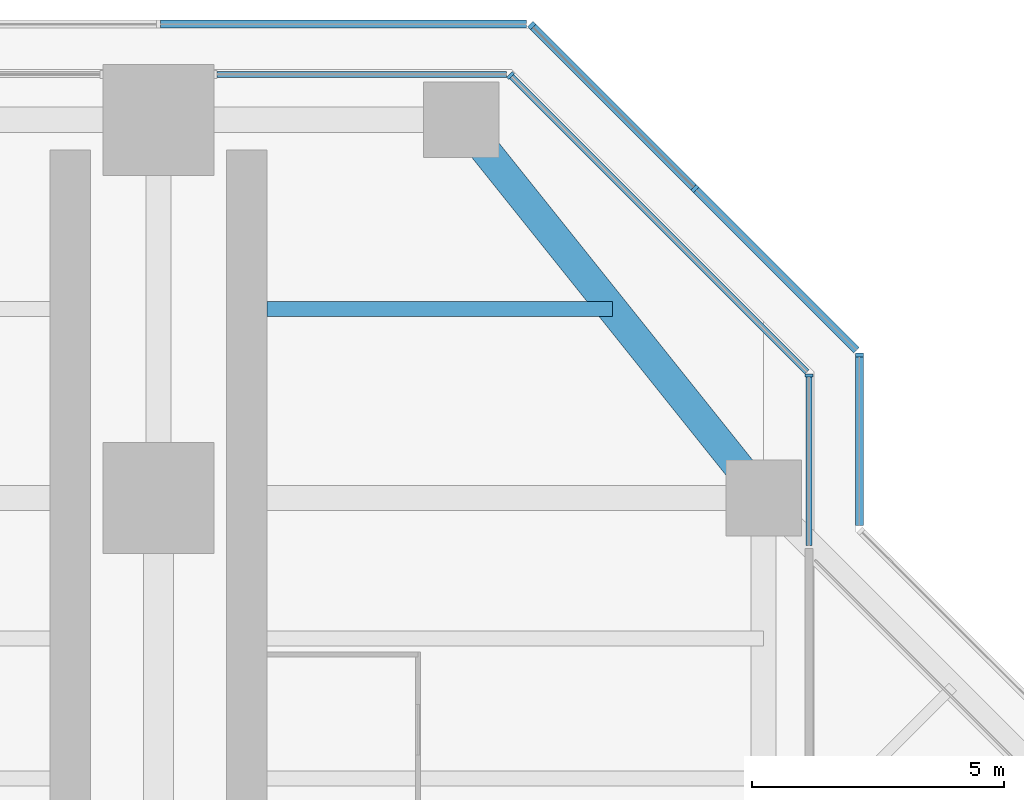
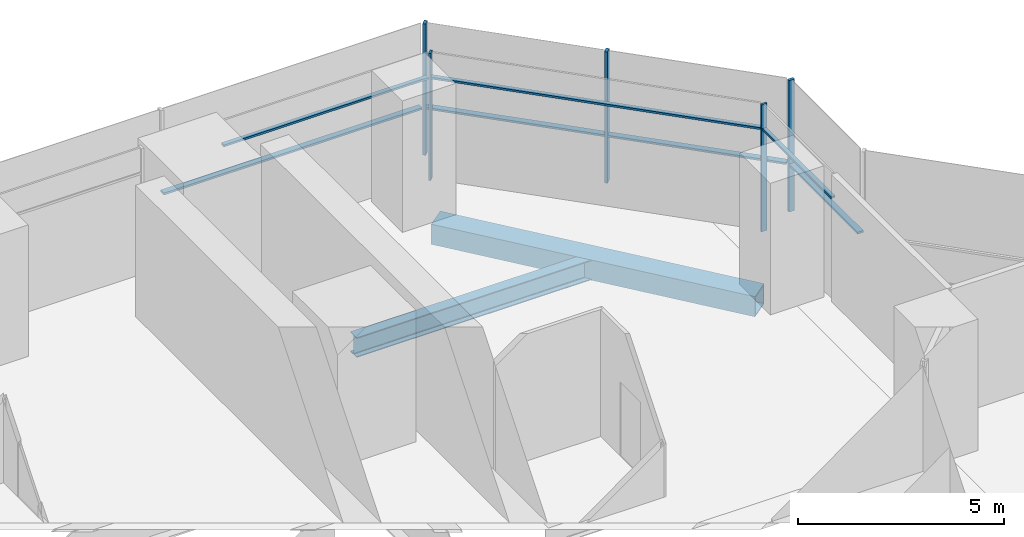
# One storey, part 9 of 17: 12 members, 2 beams, 6 elements without a shape of their own.
"""IFC4 building model written with IfcOpenShell, lengths in metres."""

import ifcopenshell
import ifcopenshell.guid

model = None  # the IFC model being written
_history = None  # IfcOwnerHistory: only IFC2X3 demands one
_inside = {}  # id of a spatial element -> (the spatial element, [elements in it])
_under = {}  # id of a project, library or spatial element -> (it, [spatial elements below it])
_declared = {}  # id of a project -> (the project, [libraries it declares])
_typed = {}  # id of a type object -> (the type object, [elements of that type])
_made_of = {}  # id of a material, layer set ... -> (it, [elements and type objects made of it])


def new_model(schema):
    """Start an empty IFC model of exactly this schema.

    Asked for "IFC4X3", IfcOpenShell would pick the latest addendum, in which some entities
    have other attributes; the version numbers below select the first issue.
    IFC2X3 requires an IfcOwnerHistory on every rooted entity: one is made here for all.
    """
    global model, _history
    if schema == "IFC4X3":
        model = ifcopenshell.file(schema_version=(4, 3, 0, 0))
    else:
        model = ifcopenshell.file(schema=schema)
    _inside.clear()
    _under.clear()
    _declared.clear()
    _typed.clear()
    _made_of.clear()
    _history = None
    if model.schema == "IFC2X3":
        org = make("IfcOrganization", Name="unknown")
        user = make(
            "IfcPersonAndOrganization",
            ThePerson=make("IfcPerson", FamilyName="unknown"),
            TheOrganization=org,
        )
        app = make(
            "IfcApplication",
            ApplicationDeveloper=org,
            Version="unknown",
            ApplicationFullName="unknown",
            ApplicationIdentifier="unknown",
        )
        _history = make(
            "IfcOwnerHistory",
            OwningUser=user,
            OwningApplication=app,
            ChangeAction="ADDED",
            CreationDate=0,
        )
    return model


def make(cls, **values):
    """One entity of the class cls with the attributes given. An attribute that is None is left unset."""
    return model.create_entity(
        cls, **{name: value for name, value in values.items() if value is not None}
    )


def rooted(cls, **values):
    """An entity with a GlobalId (a new one), such as an element, a storey or a relation."""
    return make(cls, GlobalId=ifcopenshell.guid.new(), OwnerHistory=_history, **values)


def si_unit(unit_type, name, prefix=None):
    """IfcSIUnit, for example si_unit("LENGTHUNIT", "METRE", prefix="MILLI")."""
    return make("IfcSIUnit", UnitType=unit_type, Prefix=prefix, Name=name)


def assignment(units):
    """IfcUnitAssignment: the units of a project."""
    return None if units is None else make("IfcUnitAssignment", Units=units)


def point(xyz):
    """IfcCartesianPoint."""
    return None if xyz is None else make("IfcCartesianPoint", Coordinates=xyz)


def direction(xyz):
    """IfcDirection."""
    return None if xyz is None else make("IfcDirection", DirectionRatios=xyz)


def frame(location, z_axis=None, x_axis=None):
    """IfcAxis2Placement3D, a coordinate frame: its origin and axes. An axis left out is left unset."""
    return make(
        "IfcAxis2Placement3D",
        Location=point(location),
        Axis=direction(z_axis),
        RefDirection=direction(x_axis),
    )


def frame_2d(location, x_axis=None):
    """IfcAxis2Placement2D, a coordinate frame in the plane: its origin and x axis."""
    return make(
        "IfcAxis2Placement2D", Location=point(location), RefDirection=direction(x_axis)
    )


def origin():
    """The frame at (0, 0, 0) with its axes left unset."""
    return frame((0.0, 0.0, 0.0))


def origin_2d():
    """The frame at (0, 0) in the plane with its x axis left unset."""
    return frame_2d((0.0, 0.0))


def place(relative_to, where):
    """IfcLocalPlacement: puts the frame where relative to a parent placement (None: the world)."""
    return make(
        "IfcLocalPlacement", PlacementRelTo=relative_to, RelativePlacement=where
    )


def context(
    kind, dimensions, precision=None, world=None, true_north=None, identifier=None
):
    """IfcGeometricRepresentationContext, for example the 3D "Model" context."""
    return make(
        "IfcGeometricRepresentationContext",
        ContextIdentifier=identifier,
        ContextType=kind,
        CoordinateSpaceDimension=dimensions,
        Precision=precision,
        WorldCoordinateSystem=world,
        TrueNorth=true_north,
    )


def subcontext(parent, identifier, kind, view, scale=None):
    """IfcGeometricRepresentationSubContext, for example "Body" below "Model"."""
    return make(
        "IfcGeometricRepresentationSubContext",
        ContextIdentifier=identifier,
        ContextType=kind,
        ParentContext=parent,
        TargetScale=scale,
        TargetView=view,
    )


def project(units=None, contexts=None):
    """IfcProject with its units and contexts."""
    return rooted(
        "IfcProject",
        Name="project",
        RepresentationContexts=contexts,
        UnitsInContext=assignment(units),
    )


def spatial(cls, under=None, at=None, **own):
    """A site, building, storey or space (cls), placed at a placement, below another one or the project."""
    s = rooted(cls, ObjectPlacement=at, **own)
    if under is not None:
        _under.setdefault(under.id(), (under, []))[1].append(s)
    return s


def profile(cls, at=None, kind="AREA", **sizes):
    """A parametric profile (cls). Its sizes go by their IFC names, for example OverallWidth=200.0."""
    return make(cls, ProfileType=kind, Position=at, **sizes)


def rectangle(**sizes):
    """IfcRectangleProfileDef."""
    return profile("IfcRectangleProfileDef", **sizes)


def hollow_rectangle(**sizes):
    """IfcRectangleHollowProfileDef."""
    return profile("IfcRectangleHollowProfileDef", **sizes)


def i_section(**sizes):
    """IfcIShapeProfileDef."""
    return profile("IfcIShapeProfileDef", **sizes)


def extrude(swept, where, along, depth):
    """IfcExtrudedAreaSolid: the profile swept, set in the frame where, extruded along a direction by depth."""
    return make(
        "IfcExtrudedAreaSolid",
        SweptArea=swept,
        Position=where,
        ExtrudedDirection=direction(along),
        Depth=depth,
    )


def shape(context_of_items, identifier, shape_type, items):
    """IfcShapeRepresentation: the items that make up one representation, for example the "Body"."""
    return make(
        "IfcShapeRepresentation",
        ContextOfItems=context_of_items,
        RepresentationIdentifier=identifier,
        RepresentationType=shape_type,
        Items=items,
    )


def material(Name=None, Category=None):
    """IfcMaterial."""
    return make("IfcMaterial", Name=Name, Category=Category)


def material_profile(
    of_material, cross_section, Name=None, Category=None, Priority=None
):
    """IfcMaterialProfile: a cross section and its material."""
    return make(
        "IfcMaterialProfile",
        Name=Name,
        Material=of_material,
        Profile=cross_section,
        Priority=Priority,
        Category=Category,
    )


def profile_set(profiles, Name=None, composite=None):
    """IfcMaterialProfileSet."""
    return make(
        "IfcMaterialProfileSet",
        Name=Name,
        MaterialProfiles=profiles,
        CompositeProfile=composite,
    )


def made_of(thing, what):
    """Note that an element or type object is made of a material, layer set ...; save() writes the relation."""
    if what is not None:
        _made_of.setdefault(what.id(), (what, []))[1].append(thing)
    return thing


def type_object(cls, material=None, **own):
    """A type object (cls), such as IfcWallType, which elements share."""
    return made_of(rooted(cls, **own), material)


def element(
    cls,
    number,
    at=None,
    inside=None,
    cuts=None,
    type_object=None,
    material=None,
    context=None,
    identifier="Body",
    shape_type=None,
    held_by="IfcProductDefinitionShape",
    body=None,
    shapes=None,
    **own,
):
    """One element of the class cls, such as IfcWall. Its Tag is "e" and its number.

    at: its placement. inside: the storey or other place that contains it. cuts: it is an
    opening in that element (IfcRelVoidsElement). A single representation is given by context,
    identifier, shape_type and body (its items); several are given by shapes. held_by: the class
    of the entity that holds the representations. save() writes the other relations.
    """
    e = rooted(cls, Tag="e%d" % number, ObjectPlacement=at, **own)
    if body is not None:
        shapes = [shape(context, identifier, shape_type, body)]
    if shapes is not None:
        e.Representation = make(held_by, Representations=shapes)
    if inside is not None:
        _inside.setdefault(inside.id(), (inside, []))[1].append(e)
    if cuts is not None:
        rooted(
            "IfcRelVoidsElement", RelatingBuildingElement=cuts, RelatedOpeningElement=e
        )
    if type_object is not None:
        _typed.setdefault(type_object.id(), (type_object, []))[1].append(e)
    return made_of(e, material)


def aggregate(whole, parts):
    """IfcRelAggregates: a whole, such as a stair, and the parts it consists of."""
    return rooted("IfcRelAggregates", RelatingObject=whole, RelatedObjects=parts)


def save(model, path):
    """Write the relations noted so far, then the file.

    IfcRelAggregates (storeys below a building ...), IfcRelContainedInSpatialStructure (elements
    in a storey), IfcRelDefinesByType, IfcRelAssociatesMaterial and IfcRelDeclares: one each for
    every whole, place, type object, material and project.
    """
    for whole, parts in _under.values():
        aggregate(whole, parts)
    for where, things in _inside.values():
        rooted(
            "IfcRelContainedInSpatialStructure",
            RelatedElements=things,
            RelatingStructure=where,
        )
    for kind, things in _typed.values():
        rooted("IfcRelDefinesByType", RelatedObjects=things, RelatingType=kind)
    for what, things in _made_of.values():
        rooted("IfcRelAssociatesMaterial", RelatedObjects=things, RelatingMaterial=what)
    for by, libraries in _declared.values():
        rooted("IfcRelDeclares", RelatingContext=by, RelatedDefinitions=libraries)
    model.write(path)


model = new_model("IFC4")

# Units and contexts
model_context = context("Model", 3, precision=1e-05, world=origin(), true_north=direction((0.0, 1.0)))
body_context = subcontext(model_context, "Body", "Model", "MODEL_VIEW")
ifc_project = project(units=[si_unit("LENGTHUNIT", "METRE"), si_unit("AREAUNIT", "SQUARE_METRE"), si_unit("VOLUMEUNIT", "CUBIC_METRE"), si_unit("PLANEANGLEUNIT", "RADIAN"), si_unit("MASSUNIT", "GRAM", prefix="KILO")], contexts=[model_context])

# Site, building, storey
site_placement = place(None, origin())
site = spatial("IfcSite", under=ifc_project, at=site_placement, CompositionType="ELEMENT")
building_placement = place(site_placement, origin())
building = spatial("IfcBuilding", under=site, at=building_placement, Name="Mizan Broadcast Tower", CompositionType="ELEMENT")
storey_placement = place(building_placement, frame((0.0, 0.0, 212.699951171875)))
storey = spatial("IfcBuildingStorey", under=building, at=storey_placement, Name="L49", CompositionType="ELEMENT", Elevation=212.699951171875)

# Beam
ifc_material_1 = material(Name="Steel S355", Category="steel")
ifc_material_profile_1 = material_profile(ifc_material_1, hollow_rectangle(XDim=0.60009765625, YDim=0.60009765625, WallThickness=0.030029296875, at=origin_2d()), Name="BOX 600x600x30")
ifc_profile_set_1 = profile_set([ifc_material_profile_1], Name="Steel S355")
beam_type_1 = type_object("IfcBeamType", Name="EDGE BEAM BOX 600x600x30", PredefinedType="SPANDREL", material=ifc_profile_set_1)
beam_1_placement = place(storey_placement, frame((11.639892578125, 19.949951171875, -0.429931640625), z_axis=(-0.624673911726, 0.780885717636, 0.0), x_axis=(-0.780885717636, -0.624673911726, 0.0)))
element("IfcBeam", 1, at=beam_1_placement, inside=storey, type_object=beam_type_1, Name="Edge beam BOX 600x600x30 L49 north arm", PredefinedType="SPANDREL", context=body_context, shape_type="SweptSolid", body=[
    extrude(hollow_rectangle(XDim=0.60009765625, YDim=0.60009765625, WallThickness=0.030029296875, at=origin_2d()), origin(), (0.0, 0.0, 1.0), 8.4521484375),
])

# Curtain wall, member
ifc_material_2 = material(Name="Aluminium framed glazing", Category="aluminium")
curtain_wall_type_1 = type_object("IfcCurtainWallType", Name="INNER SKIN HIGH ZONE", PredefinedType="USERDEFINED", material=ifc_material_2)
curtain_wall_1_placement = place(storey_placement, origin())
curtain_wall_1 = element("IfcCurtainWall", 2, at=curtain_wall_1_placement, inside=storey, type_object=curtain_wall_type_1, Name="Inner skin high zone L49 N side", ObjectType="INNER SKIN HIGH ZONE", PredefinedType="USERDEFINED")
ifc_material_3 = material(Name="Aluminium, pale anodised", Category="aluminium")
ifc_material_profile_2 = material_profile(ifc_material_3, rectangle(XDim=0.159912109375, YDim=0.06005859375, at=origin_2d()), Name="MULLION 160x60")
ifc_profile_set_2 = profile_set([ifc_material_profile_2], Name="Aluminium, pale anodised")
member_type_1 = type_object("IfcMemberType", Name="INNER SKIN MULLION 60x160", PredefinedType="MULLION", material=ifc_profile_set_2)
member_1_placement = place(storey_placement, frame((12.89990234375, 21.928466796875, 0.0), z_axis=(0.0, 0.0, 1.0), x_axis=(-1.0, 0.0, 0.0)))
member_1 = element("IfcMember", 3, at=member_1_placement, type_object=member_type_1, Name="Inner skin high zone L49 N side mullion 2", PredefinedType="MULLION", context=body_context, shape_type="SweptSolid", body=[
    extrude(rectangle(XDim=0.159912109375, YDim=0.06005859375, at=origin_2d()), origin(), (0.0, 0.0, 1.0), 3.77001953125),
])

curtain_wall_2_placement = place(storey_placement, origin())
curtain_wall_2 = element("IfcCurtainWall", 4, at=curtain_wall_2_placement, inside=storey, type_object=curtain_wall_type_1, Name="Inner skin high zone L49 N chamfer", ObjectType="INNER SKIN HIGH ZONE", PredefinedType="USERDEFINED")
member_2_placement = place(storey_placement, frame((6.979736328125, 27.87890625, 0.0), z_axis=(0.0, 0.0, 1.0), x_axis=(-0.707106781187, -0.707106781187, 0.0)))
member_2 = element("IfcMember", 5, at=member_2_placement, type_object=member_type_1, Name="Inner skin high zone L49 N chamfer mullion 2", PredefinedType="MULLION", context=body_context, shape_type="SweptSolid", body=[
    extrude(rectangle(XDim=0.159912109375, YDim=0.06005859375, at=origin_2d()), origin(), (0.0, 0.0, 1.0), 3.77001953125),
])

# Member
ifc_material_4 = material(Name="Aluminium, pale anodised", Category="aluminium")
ifc_material_profile_3 = material_profile(ifc_material_4, rectangle(XDim=0.1201171875, YDim=0.06005859375, at=origin_2d()), Name="TRANSOM 120x60")
ifc_profile_set_3 = profile_set([ifc_material_profile_3], Name="Aluminium, pale anodised")
member_type_2 = type_object("IfcMemberType", Name="INNER SKIN TRANSOM 60x120", PredefinedType="USERDEFINED", material=ifc_profile_set_3)
member_3_placement = place(storey_placement, frame((12.89990234375, 18.56005859375, 3.030029296875), z_axis=(0.0, 1.0, 0.0), x_axis=(-1.0, 0.0, 0.0)))
member_3 = element("IfcMember", 6, at=member_3_placement, type_object=member_type_2, Name="Inner skin high zone L49 N side transom 1.1", ObjectType="TRANSOM", PredefinedType="USERDEFINED", context=body_context, shape_type="SweptSolid", body=[
    extrude(rectangle(XDim=0.1201171875, YDim=0.06005859375, at=origin_2d()), origin(), (0.0, 0.0, 1.0), 3.338623046875),
])

aggregate(curtain_wall_1, [member_1, member_3])

member_4_placement = place(storey_placement, frame((12.857666015625, 22.0009765625, 3.030029296875), z_axis=(-0.707106781187, 0.707106781187, 0.0), x_axis=(-0.707106781187, -0.707106781187, 0.0)))
member_4 = element("IfcMember", 7, at=member_4_placement, type_object=member_type_2, Name="Inner skin high zone L49 N chamfer transom 1.1", ObjectType="TRANSOM", PredefinedType="USERDEFINED", context=body_context, shape_type="SweptSolid", body=[
    extrude(rectangle(XDim=0.1201171875, YDim=0.06005859375, at=origin_2d()), origin(), (0.0, 0.0, 1.0), 8.28271484375),
])

aggregate(curtain_wall_2, [member_2, member_4])

# Curtain wall, member
curtain_wall_3_placement = place(storey_placement, origin())
curtain_wall_3 = element("IfcCurtainWall", 8, at=curtain_wall_3_placement, inside=storey, type_object=curtain_wall_type_1, Name="Inner skin high zone L49 N end", ObjectType="INNER SKIN HIGH ZONE", PredefinedType="USERDEFINED")
member_5_placement = place(storey_placement, frame((6.898681640625, 27.89990234375, 3.030029296875), z_axis=(-1.0, 0.0, 0.0), x_axis=(0.0, -1.0, 0.0)))
member_5 = element("IfcMember", 9, at=member_5_placement, type_object=member_type_2, Name="Inner skin high zone L49 N end transom 1.1", ObjectType="TRANSOM", PredefinedType="USERDEFINED", context=body_context, shape_type="SweptSolid", body=[
    extrude(rectangle(XDim=0.1201171875, YDim=0.06005859375, at=origin_2d()), origin(), (0.0, 0.0, 1.0), 5.73876953125),
])
aggregate(curtain_wall_3, [member_5])

ifc_material_5 = material(Name="Aluminium framed glazing", Category="aluminium")
curtain_wall_type_2 = type_object("IfcCurtainWallType", Name="OUTER SKIN", PredefinedType="USERDEFINED", material=ifc_material_5)
curtain_wall_4_placement = place(storey_placement, origin())
curtain_wall_4 = element("IfcCurtainWall", 10, at=curtain_wall_4_placement, inside=storey, type_object=curtain_wall_type_2, Name="Outer skin L49 N side", ObjectType="OUTER SKIN", PredefinedType="USERDEFINED")
ifc_material_6 = material(Name="Aluminium, pale anodised", Category="aluminium")
ifc_material_profile_4 = material_profile(ifc_material_6, rectangle(XDim=0.159912109375, YDim=0.080078125, at=origin_2d()), Name="MULLION 160x80")
ifc_profile_set_4 = profile_set([ifc_material_profile_4], Name="Aluminium, pale anodised")
member_type_3 = type_object("IfcMemberType", Name="OUTER SKIN MULLION 80x160", PredefinedType="MULLION", material=ifc_profile_set_4)
member_6_placement = place(storey_placement, frame((13.89990234375, 22.332763671875, 0.0), z_axis=(0.0, 0.0, 1.0), x_axis=(-1.0, 0.0, 0.0)))
member_6 = element("IfcMember", 11, at=member_6_placement, type_object=member_type_3, Name="Outer skin L49 N side mullion 2", PredefinedType="MULLION", context=body_context, shape_type="SweptSolid", body=[
    extrude(rectangle(XDim=0.159912109375, YDim=0.080078125, at=origin_2d()), origin(), (0.0, 0.0, 1.0), 3.900146484375),
])

# Curtain wall, members
curtain_wall_5_placement = place(storey_placement, origin())
curtain_wall_5 = element("IfcCurtainWall", 12, at=curtain_wall_5_placement, inside=storey, type_object=curtain_wall_type_2, Name="Outer skin L49 N chamfer", ObjectType="OUTER SKIN", PredefinedType="USERDEFINED")
member_7_placement = place(storey_placement, frame((10.636474609375, 25.636474609375, 0.0), z_axis=(0.0, 0.0, 1.0), x_axis=(-0.707106781187, -0.707106781187, 0.0)))
member_7 = element("IfcMember", 13, at=member_7_placement, type_object=member_type_3, Name="Outer skin L49 N chamfer mullion 2", PredefinedType="MULLION", context=body_context, shape_type="SweptSolid", body=[
    extrude(rectangle(XDim=0.159912109375, YDim=0.080078125, at=origin_2d()), origin(), (0.0, 0.0, 1.0), 3.900146484375),
])
member_8_placement = place(storey_placement, frame((7.401123046875, 28.871826171875, 0.0), z_axis=(0.0, 0.0, 1.0), x_axis=(-0.707106781187, -0.707106781187, 0.0)))
member_8 = element("IfcMember", 14, at=member_8_placement, type_object=member_type_3, Name="Outer skin L49 N chamfer mullion 3", PredefinedType="MULLION", context=body_context, shape_type="SweptSolid", body=[
    extrude(rectangle(XDim=0.159912109375, YDim=0.080078125, at=origin_2d()), origin(), (0.0, 0.0, 1.0), 3.900146484375),
])

# Member
ifc_material_7 = material(Name="Aluminium, pale anodised", Category="aluminium")
ifc_material_profile_5 = material_profile(ifc_material_7, rectangle(XDim=0.159912109375, YDim=0.06005859375, at=origin_2d()), Name="TRANSOM 160x60")
ifc_profile_set_5 = profile_set([ifc_material_profile_5], Name="Aluminium, pale anodised")
member_type_4 = type_object("IfcMemberType", Name="OUTER SKIN TRANSOM 60x160", PredefinedType="USERDEFINED", material=ifc_profile_set_5)
member_9_placement = place(storey_placement, frame((13.89990234375, 18.952880859375, 1.400146484375), z_axis=(0.0, 1.0, 0.0), x_axis=(-1.0, 0.0, 0.0)))
member_9 = element("IfcMember", 15, at=member_9_placement, type_object=member_type_4, Name="Outer skin L49 N side transom 1.1", ObjectType="TRANSOM", PredefinedType="USERDEFINED", context=body_context, shape_type="SweptSolid", body=[
    extrude(rectangle(XDim=0.159912109375, YDim=0.06005859375, at=origin_2d()), origin(), (0.0, 0.0, 1.0), 3.33984375),
])

aggregate(curtain_wall_4, [member_6, member_9])

member_10_placement = place(storey_placement, frame((13.843505859375, 22.429443359375, 1.400146484375), z_axis=(-0.707106781187, 0.707106781187, 0.0), x_axis=(-0.707106781187, -0.707106781187, 0.0)))
member_10 = element("IfcMember", 16, at=member_10_placement, type_object=member_type_4, Name="Outer skin L49 N chamfer transom 1.1", ObjectType="TRANSOM", PredefinedType="USERDEFINED", context=body_context, shape_type="SweptSolid", body=[
    extrude(rectangle(XDim=0.159912109375, YDim=0.06005859375, at=origin_2d()), origin(), (0.0, 0.0, 1.0), 4.495361328125),
])

member_11_placement = place(storey_placement, frame((10.608154296875, 25.664794921875, 1.400146484375), z_axis=(-0.707106781187, 0.707106781187, 0.0), x_axis=(-0.707106781187, -0.707106781187, 0.0)))
member_11 = element("IfcMember", 17, at=member_11_placement, type_object=member_type_4, Name="Outer skin L49 N chamfer transom 2.1", ObjectType="TRANSOM", PredefinedType="USERDEFINED", context=body_context, shape_type="SweptSolid", body=[
    extrude(rectangle(XDim=0.159912109375, YDim=0.06005859375, at=origin_2d()), origin(), (0.0, 0.0, 1.0), 4.495361328125),
])

aggregate(curtain_wall_5, [member_7, member_8, member_10, member_11])

# Curtain wall, member
curtain_wall_6_placement = place(storey_placement, origin())
curtain_wall_6 = element("IfcCurtainWall", 18, at=curtain_wall_6_placement, inside=storey, type_object=curtain_wall_type_2, Name="Outer skin L49 N end", ObjectType="OUTER SKIN", PredefinedType="USERDEFINED")
member_12_placement = place(storey_placement, frame((7.292724609375, 28.89990234375, 1.400146484375), z_axis=(-1.0, 0.0, 0.0), x_axis=(0.0, -1.0, 0.0)))
member_12 = element("IfcMember", 19, at=member_12_placement, type_object=member_type_4, Name="Outer skin L49 N end transom 1.1", ObjectType="TRANSOM", PredefinedType="USERDEFINED", context=body_context, shape_type="SweptSolid", body=[
    extrude(rectangle(XDim=0.159912109375, YDim=0.06005859375, at=origin_2d()), origin(), (0.0, 0.0, 1.0), 7.252685546875),
])
aggregate(curtain_wall_6, [member_12])

# Beam
ifc_material_8 = material(Name="Steel S355", Category="steel")
ifc_material_profile_6 = material_profile(ifc_material_8, i_section(OverallWidth=0.300048828125, OverallDepth=0.590087890625, WebThickness=0.012939453125, FlangeThickness=0.02490234375, FilletRadius=0.027099609375, at=origin_2d()), Name="HEA 600")
ifc_profile_set_6 = profile_set([ifc_material_profile_6], Name="Steel S355")
beam_type_2 = type_object("IfcBeamType", Name="SECONDARY BEAM HEA 600", PredefinedType="JOIST", material=ifc_profile_set_6)
beam_2_placement = place(storey_placement, frame((9.0, 23.25, -0.425048828125), z_axis=(-1.0, 0.0, 0.0), x_axis=(0.0, -1.0, 0.0)))
element("IfcBeam", 20, at=beam_2_placement, inside=storey, type_object=beam_type_2, Name="Secondary beam HEA 600 L49 north arm", PredefinedType="JOIST", context=body_context, shape_type="SweptSolid", body=[
    extrude(i_section(OverallWidth=0.300048828125, OverallDepth=0.590087890625, WebThickness=0.012939453125, FlangeThickness=0.02490234375, FilletRadius=0.027099609375, at=origin_2d()), origin(), (0.0, 0.0, 1.0), 6.85009765625),
])

save(model, "model.ifc")
